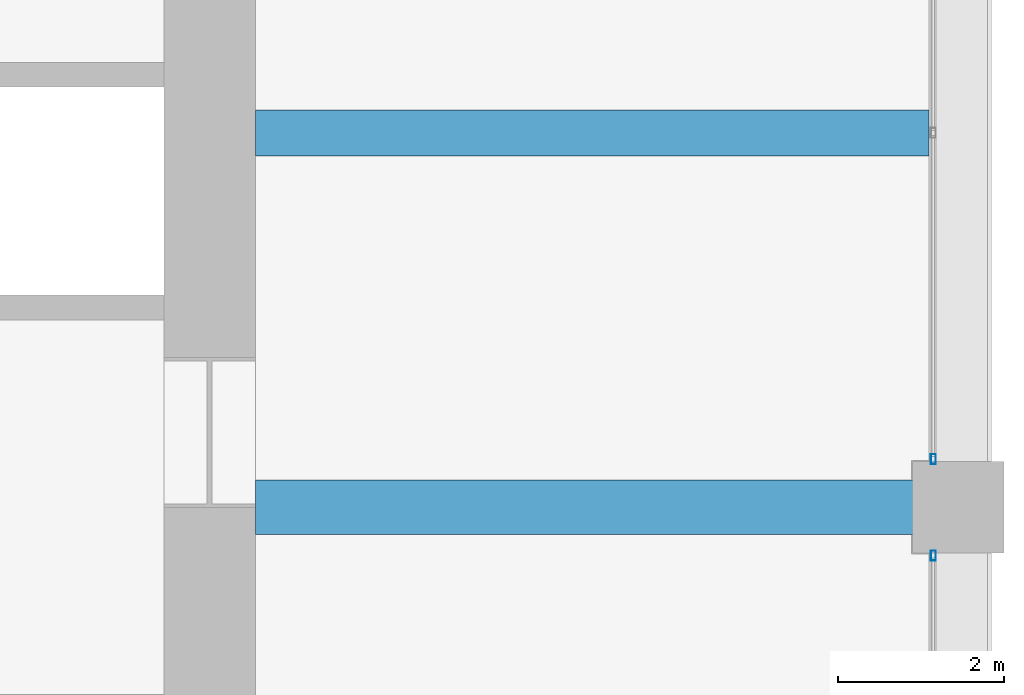
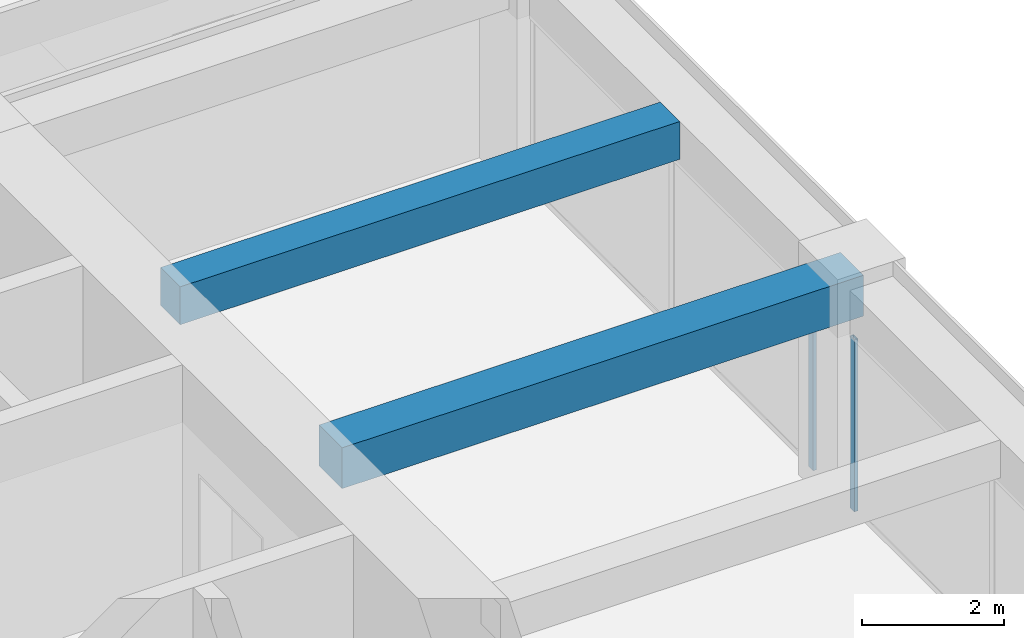
# One storey, part 26 of 44: 2 beams, 2 members, 2 elements without a shape of their own.
"""IFC4 building model written with IfcOpenShell, lengths in metres."""

from ifc_helpers import new_model, si_unit, direction, frame, origin, origin_2d, place, context, subcontext, project, spatial, rectangle, hollow_rectangle, extrude, material, material_profile, profile_set, type_object, element, aggregate, save


model = new_model("IFC4")

# Units and contexts
model_context = context("Model", 3, precision=1e-05, world=origin(), true_north=direction((0.0, 1.0)))
body_context = subcontext(model_context, "Body", "Model", "MODEL_VIEW")
ifc_project = project(units=[si_unit("LENGTHUNIT", "METRE"), si_unit("AREAUNIT", "SQUARE_METRE"), si_unit("VOLUMEUNIT", "CUBIC_METRE"), si_unit("PLANEANGLEUNIT", "RADIAN"), si_unit("MASSUNIT", "GRAM", prefix="KILO")], contexts=[model_context])

# Site, building, storey
site_placement = place(None, origin())
site = spatial("IfcSite", under=ifc_project, at=site_placement, CompositionType="ELEMENT")
building_placement = place(site_placement, origin())
building = spatial("IfcBuilding", under=site, at=building_placement, Name="Zorevar Civic Tower", CompositionType="ELEMENT")
storey_placement = place(building_placement, frame((0.0, 0.0, 283.39990234375)))
storey = spatial("IfcBuildingStorey", under=building, at=storey_placement, Name="L69", CompositionType="ELEMENT", Elevation=283.39990234375)

# Beams
ifc_material_1 = material(Name="Concrete C50/60", Category="concrete")
ifc_material_profile_1 = material_profile(ifc_material_1, rectangle(XDim=0.550048828125, YDim=0.64990234375, at=origin_2d()), Name="RC 550x650")
ifc_profile_set_1 = profile_set([ifc_material_profile_1], Name="Concrete C50/60")
beam_type_1 = type_object("IfcBeamType", Name="Beam RC 550x650", PredefinedType="BEAM", material=ifc_profile_set_1)
beam_1_placement = place(storey_placement, frame((45.550048828125, 31.5, 3.425048828125), z_axis=(1.0, 0.0, 0.0), x_axis=(0.0, 1.0, 0.0)))
element("IfcBeam", 1, at=beam_1_placement, inside=storey, type_object=beam_type_1, Name="Secondary beam L70", PredefinedType="BEAM", context=body_context, shape_type="SweptSolid", body=[
    extrude(rectangle(XDim=0.550048828125, YDim=0.64990234375, at=origin_2d()), origin(), (0.0, 0.0, 1.0), 8.099853515625),
])
ifc_material_2 = material(Name="Concrete C50/60", Category="concrete")
ifc_material_profile_2 = material_profile(ifc_material_2, rectangle(XDim=0.64990234375, YDim=0.699951171875, at=origin_2d()), Name="RC 650x700")
ifc_profile_set_2 = profile_set([ifc_material_profile_2], Name="Concrete C50/60")
beam_type_2 = type_object("IfcBeamType", Name="Beam RC 650x700", PredefinedType="BEAM", material=ifc_profile_set_2)
beam_2_placement = place(storey_placement, frame((45.550048828125, 27.0, 3.400146484375), z_axis=(1.0, 0.0, 0.0), x_axis=(0.0, 1.0, 0.0)))
element("IfcBeam", 2, at=beam_2_placement, inside=storey, type_object=beam_type_2, Name="Girder L70", PredefinedType="BEAM", context=body_context, shape_type="SweptSolid", body=[
    extrude(rectangle(XDim=0.64990234375, YDim=0.699951171875, at=origin_2d()), origin(), (0.0, 0.0, 1.0), 8.449951171875),
])

# Curtain wall, member
ifc_material_3 = material(Name="Dark grey solar-control glass in black aluminium frame", Category="aluminium")
curtain_wall_type = type_object("IfcCurtainWallType", Name="Curtain wall CW5 top zone", PredefinedType="NOTDEFINED", material=ifc_material_3)
curtain_wall_1_placement = place(storey_placement, origin())
curtain_wall_1 = element("IfcCurtainWall", 3, at=curtain_wall_1_placement, inside=storey, type_object=curtain_wall_type, Name="CW5 L69", PredefinedType="NOTDEFINED")
ifc_material_4 = material(Name="Aluminium, black anodised", Category="aluminium")
ifc_material_profile_3 = material_profile(ifc_material_4, hollow_rectangle(XDim=0.06005859375, YDim=0.1201171875, WallThickness=0.0029296875, at=origin_2d()), Name="AL 120x60x3")
ifc_profile_set_3 = profile_set([ifc_material_profile_3], Name="Aluminium, black anodised")
member_type = type_object("IfcMemberType", Name="CW5 mullion AL 120x60x3", PredefinedType="MULLION", material=ifc_profile_set_3)
member_1_placement = place(storey_placement, frame((53.699951171875, 26.419921875, 0.0), z_axis=(0.0, 0.0, 1.0), x_axis=(-1.0, 0.0, 0.0)))
member_1 = element("IfcMember", 4, at=member_1_placement, type_object=member_type, Name="CW5 mullion 3", PredefinedType="MULLION", context=body_context, shape_type="SweptSolid", body=[
    extrude(hollow_rectangle(XDim=0.06005859375, YDim=0.1201171875, WallThickness=0.0029296875, at=origin_2d()), origin(), (0.0, 0.0, 1.0), 2.9501953125),
])
aggregate(curtain_wall_1, [member_1])

curtain_wall_2_placement = place(storey_placement, origin())
curtain_wall_2 = element("IfcCurtainWall", 5, at=curtain_wall_2_placement, inside=storey, type_object=curtain_wall_type, Name="CW5 L69", PredefinedType="NOTDEFINED")
member_2_placement = place(storey_placement, frame((53.699951171875, 27.580078125, 0.0), z_axis=(0.0, 0.0, 1.0), x_axis=(-1.0, 0.0, 0.0)))
member_2 = element("IfcMember", 6, at=member_2_placement, type_object=member_type, Name="CW5 mullion 1", PredefinedType="MULLION", context=body_context, shape_type="SweptSolid", body=[
    extrude(hollow_rectangle(XDim=0.06005859375, YDim=0.1201171875, WallThickness=0.0029296875, at=origin_2d()), origin(), (0.0, 0.0, 1.0), 2.9501953125),
])
aggregate(curtain_wall_2, [member_2])

save(model, "model.ifc")
